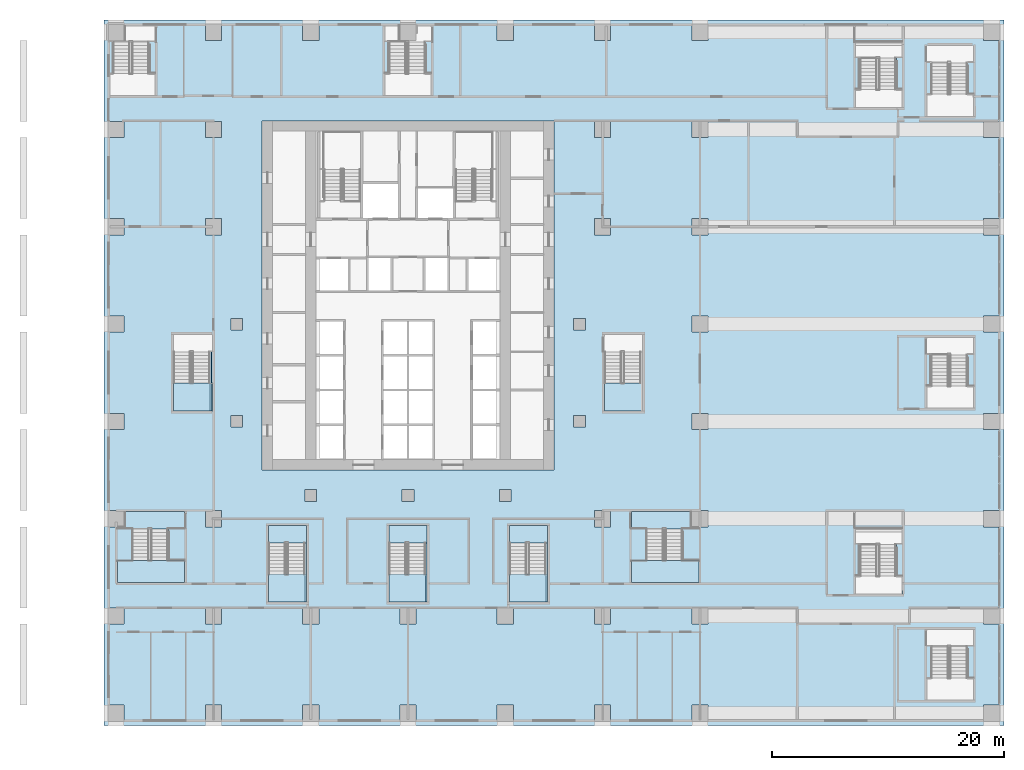
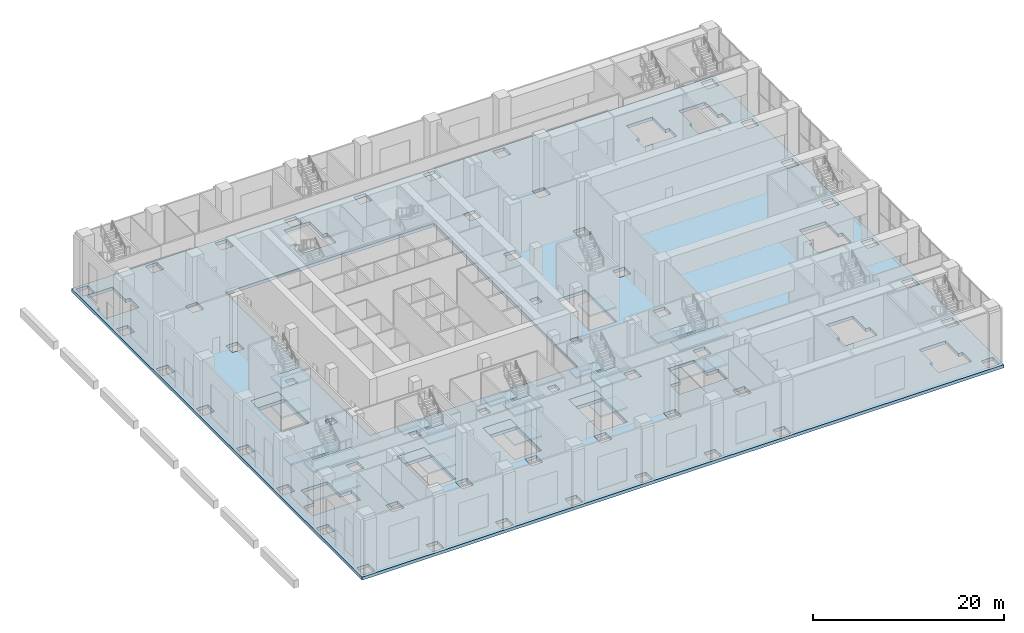
# One storey, part 4 of 29: 23 slabs, 7 elements without a shape of their own.
"""IFC4 building model written with IfcOpenShell, lengths in metres."""

from ifc_helpers import new_model, si_unit, direction, frame, origin, place, context, subcontext, project, spatial, polyline, outline, extrude, material, layer, layer_set, type_object, element, aggregate, save


model = new_model("IFC4")

# Units and contexts
model_context = context("Model", 3, precision=1e-05, world=origin(), true_north=direction((0.0, 1.0)))
body_context = subcontext(model_context, "Body", "Model", "MODEL_VIEW")
ifc_project = project(units=[si_unit("LENGTHUNIT", "METRE"), si_unit("AREAUNIT", "SQUARE_METRE"), si_unit("VOLUMEUNIT", "CUBIC_METRE"), si_unit("PLANEANGLEUNIT", "RADIAN"), si_unit("MASSUNIT", "GRAM", prefix="KILO")], contexts=[model_context])

# Site, building, storey
site_placement = place(None, origin())
site = spatial("IfcSite", under=ifc_project, at=site_placement, CompositionType="ELEMENT")
building_placement = place(site_placement, origin())
building = spatial("IfcBuilding", under=site, at=building_placement, Name="Vermilion Ogive Tower", CompositionType="ELEMENT")
storey_placement = place(building_placement, frame((0.0, 0.0, 12.5)))
storey = spatial("IfcBuildingStorey", under=building, at=storey_placement, Name="L02", CompositionType="ELEMENT", Elevation=12.5)

# Slabs
ifc_material_1 = material(Name="Concrete B40", Category="concrete")
ifc_layer_1 = layer(ifc_material_1, 0.39990234375)
ifc_layer_set_1 = layer_set([ifc_layer_1], Name="Core floor slab 400 B40")
slab_type_1 = type_object("IfcSlabType", Name="Core floor slab 400 B40", PredefinedType="FLOOR", material=ifc_layer_set_1)
slab_1_placement = place(storey_placement, frame((0.0, 0.0, -0.39990234375)))
element("IfcSlab", 1, at=slab_1_placement, inside=storey, type_object=slab_type_1, Name="L02-SF-ST3-1", PredefinedType="FLOOR", context=body_context, shape_type="SweptSolid", body=[
    extrude(outline(polyline([(-12.050048828125, -13.199951171875), (-12.050048828125, -14.701904296875), (-10.550048828125, -14.701904296875), (-10.550048828125, -14.699951171875), (-10.39990234375, -14.699951171875), (-10.39990234375, -14.701904296875), (-8.89990234375, -14.701904296875), (-8.89990234375, -19.800048828125), (-8.75, -19.800048828125), (-8.75, -13.199951171875), (-12.050048828125, -13.199951171875)])), origin(), (0.0, 0.0, 1.0), 0.39990234375),
])
slab_2_placement = place(storey_placement, frame((0.0, 0.0, -0.39990234375)))
element("IfcSlab", 2, at=slab_2_placement, inside=storey, type_object=slab_type_1, Name="L02-SF-ST4-1", PredefinedType="FLOOR", context=body_context, shape_type="SweptSolid", body=[
    extrude(outline(polyline([(-1.64990234375, -13.199951171875), (-1.64990234375, -14.701904296875), (-0.14990234375, -14.701904296875), (-0.14990234375, -14.699951171875), (0.0, -14.699951171875), (0.0, -14.701904296875), (1.5, -14.701904296875), (1.5, -19.800048828125), (1.64990234375, -19.800048828125), (1.64990234375, -13.199951171875), (-1.64990234375, -13.199951171875)])), origin(), (0.0, 0.0, 1.0), 0.39990234375),
])
slab_3_placement = place(storey_placement, frame((0.0, 0.0, -0.39990234375)))
element("IfcSlab", 3, at=slab_3_placement, inside=storey, type_object=slab_type_1, Name="L02-SF-ST5-1", PredefinedType="FLOOR", context=body_context, shape_type="SweptSolid", body=[
    extrude(outline(polyline([(8.75, -13.199951171875), (8.75, -14.701904296875), (10.25, -14.701904296875), (10.25, -14.699951171875), (10.39990234375, -14.699951171875), (10.39990234375, -14.701904296875), (11.89990234375, -14.701904296875), (11.89990234375, -19.800048828125), (12.050048828125, -19.800048828125), (12.050048828125, -13.199951171875), (8.75, -13.199951171875)])), origin(), (0.0, 0.0, 1.0), 0.39990234375),
])
slab_4_placement = place(storey_placement, frame((0.0, 0.0, -0.39990234375)))
element("IfcSlab", 4, at=slab_4_placement, inside=storey, type_object=slab_type_1, Name="L02-SF-ST9-1", PredefinedType="FLOOR", context=body_context, shape_type="SweptSolid", body=[
    extrude(outline(polyline([(-20.25, 3.300048828125), (-20.25, 1.798095703125), (-18.75, 1.798095703125), (-18.75, 1.800048828125), (-18.60009765625, 1.800048828125), (-18.60009765625, 1.798095703125), (-17.10009765625, 1.798095703125), (-17.10009765625, -3.300048828125), (-16.949951171875, -3.300048828125), (-16.949951171875, 3.300048828125), (-20.25, 3.300048828125)])), origin(), (0.0, 0.0, 1.0), 0.39990234375),
])
ifc_material_2 = material(Name="Concrete B45", Category="concrete")
ifc_layer_2 = layer(ifc_material_2, 0.39990234375)
ifc_layer_set_2 = layer_set([ifc_layer_2], Name="Podium floor slab 400")
slab_type_2 = type_object("IfcSlabType", Name="Podium floor slab 400", PredefinedType="FLOOR", material=ifc_layer_set_2)
slab_5_placement = place(storey_placement, frame((0.0, 0.0, -0.39990234375)))
element("IfcSlab", 5, at=slab_5_placement, inside=storey, type_object=slab_type_2, Name="L02 floor slab 1", PredefinedType="FLOOR", context=body_context, shape_type="SweptSolid", body=[
    extrude(outline(polyline([(-26.25, -30.449951171875), (51.449951171875, -30.449951171875), (51.449951171875, 30.449951171875), (-26.25, 30.449951171875), (-26.25, -30.449951171875)]), holes=[polyline([(-9.10009765625, -28.699951171875), (-7.699951171875, -28.699951171875), (-7.699951171875, -30.10009765625), (-9.10009765625, -30.10009765625), (-9.10009765625, -28.699951171875)]), polyline([(-17.5, -28.699951171875), (-16.10009765625, -28.699951171875), (-16.10009765625, -30.10009765625), (-17.5, -30.10009765625), (-17.5, -28.699951171875)]), polyline([(-25.89990234375, -28.699951171875), (-24.5, -28.699951171875), (-24.5, -30.10009765625), (-25.89990234375, -30.10009765625), (-25.89990234375, -28.699951171875)]), polyline([(-17.5, -20.300048828125), (-16.10009765625, -20.300048828125), (-16.10009765625, -21.699951171875), (-17.5, -21.699951171875), (-17.5, -20.300048828125)]), polyline([(-25.89990234375, -20.300048828125), (-24.5, -20.300048828125), (-24.5, -21.699951171875), (-25.89990234375, -21.699951171875), (-25.89990234375, -20.300048828125)]), polyline([(-12.050048828125, -13.199951171875), (-8.75, -13.199951171875), (-8.75, -19.800048828125), (-12.050048828125, -19.800048828125), (-12.050048828125, -13.199951171875)]), polyline([(-22.199951171875, -13.501953125), (-20.699951171875, -13.501953125), (-20.699951171875, -13.5), (-20.699951171875, -13.5), (-20.699951171875, -16.199951171875), (-19.300048828125, -16.199951171875), (-19.300048828125, -18.125), (-25.099853515625, -18.125), (-25.099853515625, -16.199951171875), (-23.85009765625, -16.199951171875), (-23.85009765625, -13.5), (-23.85009765625, -13.5), (-23.85009765625, -13.501953125), (-22.35009765625, -13.501953125), (-22.35009765625, -13.5), (-22.199951171875, -13.5), (-22.199951171875, -13.501953125)]), polyline([(-25.89990234375, -11.89990234375), (-24.5, -11.89990234375), (-24.5, -13.300048828125), (-25.89990234375, -13.300048828125), (-25.89990234375, -11.89990234375)]), polyline([(-17.5, -11.89990234375), (-16.10009765625, -11.89990234375), (-16.10009765625, -13.300048828125), (-17.5, -13.300048828125), (-17.5, -11.89990234375)]), polyline([(-15.300048828125, -3.699951171875), (-14.300048828125, -3.699951171875), (-14.300048828125, -4.699951171875), (-15.300048828125, -4.699951171875), (-15.300048828125, -3.699951171875)]), polyline([(-25.89990234375, -3.5), (-24.5, -3.5), (-24.5, -4.89990234375), (-25.89990234375, -4.89990234375), (-25.89990234375, -3.5)]), polyline([(-20.25, 3.300048828125), (-16.949951171875, 3.300048828125), (-16.949951171875, -3.300048828125), (-20.25, -3.300048828125), (-20.25, 3.300048828125)]), polyline([(-25.89990234375, 4.89990234375), (-24.5, 4.89990234375), (-24.5, 3.5), (-25.89990234375, 3.5), (-25.89990234375, 4.89990234375)]), polyline([(-15.300048828125, 4.699951171875), (-14.300048828125, 4.699951171875), (-14.300048828125, 3.699951171875), (-15.300048828125, 3.699951171875), (-15.300048828125, 4.699951171875)]), polyline([(-16.10009765625, 13.300048828125), (-16.10009765625, 11.89990234375), (-17.5, 11.89990234375), (-17.5, 13.300048828125), (-16.10009765625, 13.300048828125)]), polyline([(-24.5, 13.300048828125), (-24.5, 11.89990234375), (-25.89990234375, 11.89990234375), (-25.89990234375, 13.300048828125), (-24.5, 13.300048828125)]), polyline([(-17.5, 21.699951171875), (-16.10009765625, 21.699951171875), (-16.10009765625, 20.300048828125), (-17.5, 20.300048828125), (-17.5, 21.699951171875)]), polyline([(-25.89990234375, 21.699951171875), (-24.5, 21.699951171875), (-24.5, 20.300048828125), (-25.89990234375, 20.300048828125), (-25.89990234375, 21.699951171875)]), polyline([(-21.85009765625, 25.85009765625), (-21.85009765625, 23.925048828125), (-25.849853515625, 23.925048828125), (-25.849853515625, 25.85009765625), (-25.5, 25.85009765625), (-25.5, 28.548095703125), (-24.0, 28.548095703125), (-24.0, 28.550048828125), (-23.85009765625, 28.550048828125), (-23.85009765625, 28.548095703125), (-22.35009765625, 28.548095703125), (-22.35009765625, 25.85009765625), (-21.85009765625, 25.85009765625)]), polyline([(-17.5, 30.10009765625), (-16.10009765625, 30.10009765625), (-16.10009765625, 28.699951171875), (-17.5, 28.699951171875), (-17.5, 30.10009765625)]), polyline([(-25.89990234375, 30.10009765625), (-24.5, 30.10009765625), (-24.5, 28.699951171875), (-25.89990234375, 28.699951171875), (-25.89990234375, 30.10009765625)]), polyline([(-9.10009765625, 30.10009765625), (-7.699951171875, 30.10009765625), (-7.699951171875, 28.699951171875), (-9.10009765625, 28.699951171875), (-9.10009765625, 30.10009765625)]), polyline([(16.10009765625, -28.699951171875), (17.5, -28.699951171875), (17.5, -30.10009765625), (16.10009765625, -30.10009765625), (16.10009765625, -28.699951171875)]), polyline([(-0.699951171875, -28.699951171875), (0.699951171875, -28.699951171875), (0.699951171875, -30.10009765625), (-0.699951171875, -30.10009765625), (-0.699951171875, -28.699951171875)]), polyline([(7.699951171875, -28.699951171875), (9.10009765625, -28.699951171875), (9.10009765625, -30.10009765625), (7.699951171875, -30.10009765625), (7.699951171875, -28.699951171875)]), polyline([(-9.10009765625, -20.300048828125), (-7.699951171875, -20.300048828125), (-7.699951171875, -21.699951171875), (-9.10009765625, -21.699951171875), (-9.10009765625, -20.300048828125)]), polyline([(16.10009765625, -20.300048828125), (17.5, -20.300048828125), (17.5, -21.699951171875), (16.10009765625, -21.699951171875), (16.10009765625, -20.300048828125)]), polyline([(-0.699951171875, -20.300048828125), (0.699951171875, -20.300048828125), (0.699951171875, -21.699951171875), (-0.699951171875, -21.699951171875), (-0.699951171875, -20.300048828125)]), polyline([(7.699951171875, -20.300048828125), (9.10009765625, -20.300048828125), (9.10009765625, -21.699951171875), (7.699951171875, -21.699951171875), (7.699951171875, -20.300048828125)]), polyline([(-1.64990234375, -13.199951171875), (1.64990234375, -13.199951171875), (1.64990234375, -19.800048828125), (-1.64990234375, -19.800048828125), (-1.64990234375, -13.199951171875)]), polyline([(8.75, -13.199951171875), (12.050048828125, -13.199951171875), (12.050048828125, -19.800048828125), (8.75, -19.800048828125), (8.75, -13.199951171875)]), polyline([(17.5, -11.89990234375), (17.5, -13.300048828125), (16.10009765625, -13.300048828125), (16.10009765625, -11.89990234375), (17.5, -11.89990234375)]), polyline([(-7.89990234375, -10.10009765625), (-7.89990234375, -11.10009765625), (-8.89990234375, -11.10009765625), (-8.89990234375, -10.10009765625), (-7.89990234375, -10.10009765625)]), polyline([(7.89990234375, -10.10009765625), (8.89990234375, -10.10009765625), (8.89990234375, -11.10009765625), (7.89990234375, -11.10009765625), (7.89990234375, -10.10009765625)]), polyline([(-0.5, -10.10009765625), (0.5, -10.10009765625), (0.5, -11.10009765625), (-0.5, -11.10009765625), (-0.5, -10.10009765625)]), polyline([(14.300048828125, -3.699951171875), (15.300048828125, -3.699951171875), (15.300048828125, -4.699951171875), (14.300048828125, -4.699951171875), (14.300048828125, -3.699951171875)]), polyline([(14.300048828125, 4.699951171875), (15.300048828125, 4.699951171875), (15.300048828125, 3.699951171875), (14.300048828125, 3.699951171875), (14.300048828125, 4.699951171875)]), polyline([(-12.60009765625, 21.75), (12.60009765625, 21.75), (12.60009765625, -8.39990234375), (-12.60009765625, -8.39990234375), (-12.60009765625, 21.75)]), polyline([(16.10009765625, 13.300048828125), (17.5, 13.300048828125), (17.5, 11.89990234375), (16.10009765625, 11.89990234375), (16.10009765625, 13.300048828125)]), polyline([(16.10009765625, 21.699951171875), (17.5, 21.699951171875), (17.5, 20.300048828125), (16.10009765625, 20.300048828125), (16.10009765625, 21.699951171875)]), polyline([(0.0, 28.550048828125), (0.0, 28.548095703125), (1.5, 28.548095703125), (1.5, 25.85009765625), (2.0, 25.85009765625), (2.0, 23.925048828125), (-2.0, 23.925048828125), (-2.0, 25.85009765625), (-1.64990234375, 25.85009765625), (-1.64990234375, 28.548095703125), (-0.14990234375, 28.548095703125), (-0.14990234375, 28.550048828125), (0.0, 28.550048828125)]), polyline([(7.699951171875, 30.10009765625), (9.10009765625, 30.10009765625), (9.10009765625, 28.699951171875), (7.699951171875, 28.699951171875), (7.699951171875, 30.10009765625)]), polyline([(-0.699951171875, 30.10009765625), (0.699951171875, 30.10009765625), (0.699951171875, 28.699951171875), (-0.699951171875, 28.699951171875), (-0.699951171875, 30.10009765625)]), polyline([(16.10009765625, 30.10009765625), (17.5, 30.10009765625), (17.5, 28.699951171875), (16.10009765625, 28.699951171875), (16.10009765625, 30.10009765625)]), polyline([(49.699951171875, -28.699951171875), (51.10009765625, -28.699951171875), (51.10009765625, -30.10009765625), (49.699951171875, -30.10009765625), (49.699951171875, -28.699951171875)]), polyline([(24.5, -28.699951171875), (25.89990234375, -28.699951171875), (25.89990234375, -30.10009765625), (24.5, -30.10009765625), (24.5, -28.699951171875)]), polyline([(45.14990234375, -23.64990234375), (45.14990234375, -23.64990234375), (45.14990234375, -23.652099609375), (46.64990234375, -23.652099609375), (46.64990234375, -23.64990234375), (46.800048828125, -23.64990234375), (46.800048828125, -23.652099609375), (48.300048828125, -23.652099609375), (48.300048828125, -23.64990234375), (48.300048828125, -23.64990234375), (48.300048828125, -26.35009765625), (48.7998046875, -26.35009765625), (48.7998046875, -28.25), (44.800048828125, -28.25), (44.800048828125, -26.35009765625), (45.14990234375, -26.35009765625), (45.14990234375, -23.64990234375)]), polyline([(51.10009765625, -20.300048828125), (51.10009765625, -21.699951171875), (49.699951171875, -21.699951171875), (49.699951171875, -20.300048828125), (51.10009765625, -20.300048828125)]), polyline([(25.89990234375, -20.300048828125), (25.89990234375, -21.699951171875), (24.5, -21.699951171875), (24.5, -20.300048828125), (25.89990234375, -20.300048828125)]), polyline([(42.14990234375, -14.85205078125), (42.14990234375, -17.550048828125), (42.64990234375, -17.550048828125), (42.64990234375, -19.125), (38.650146484375, -19.125), (38.650146484375, -17.550048828125), (39.0, -17.550048828125), (39.0, -14.85205078125), (40.5, -14.85205078125), (40.5, -14.85009765625), (40.64990234375, -14.85009765625), (40.64990234375, -14.85205078125), (42.14990234375, -14.85205078125)]), polyline([(20.550048828125, -16.199951171875), (20.550048828125, -13.501953125), (22.050048828125, -13.501953125), (22.050048828125, -13.5), (22.199951171875, -13.5), (22.199951171875, -13.501953125), (23.699951171875, -13.501953125), (23.699951171875, -16.199951171875), (25.099853515625, -16.199951171875), (25.099853515625, -18.125), (19.300048828125, -18.125), (19.300048828125, -16.199951171875), (20.550048828125, -16.199951171875)]), polyline([(49.699951171875, -11.89990234375), (51.10009765625, -11.89990234375), (51.10009765625, -13.300048828125), (49.699951171875, -13.300048828125), (49.699951171875, -11.89990234375)]), polyline([(24.5, -11.89990234375), (25.89990234375, -11.89990234375), (25.89990234375, -13.300048828125), (24.5, -13.300048828125), (24.5, -11.89990234375)]), polyline([(24.5, -3.5), (25.89990234375, -3.5), (25.89990234375, -4.89990234375), (24.5, -4.89990234375), (24.5, -3.5)]), polyline([(49.699951171875, -3.5), (51.10009765625, -3.5), (51.10009765625, -4.89990234375), (49.699951171875, -4.89990234375), (49.699951171875, -3.5)]), polyline([(44.800048828125, -1.14990234375), (45.14990234375, -1.14990234375), (45.14990234375, 1.550048828125), (45.14990234375, 1.550048828125), (45.14990234375, 1.548095703125), (46.64990234375, 1.548095703125), (46.64990234375, 1.550048828125), (46.800048828125, 1.550048828125), (46.800048828125, 1.548095703125), (48.300048828125, 1.548095703125), (48.300048828125, 1.550048828125), (48.300048828125, 1.550048828125), (48.300048828125, -1.14990234375), (48.7998046875, -1.14990234375), (48.7998046875, -3.0498046875), (48.300048828125, -3.0498046875), (48.300048828125, -3.050048828125), (45.14990234375, -3.050048828125), (45.14990234375, -3.0498046875), (44.800048828125, -3.0498046875), (44.800048828125, -1.14990234375)]), polyline([(20.25, 3.300048828125), (20.25, -3.300048828125), (16.949951171875, -3.300048828125), (16.949951171875, 3.300048828125), (20.25, 3.300048828125)]), polyline([(25.89990234375, 4.89990234375), (25.89990234375, 3.5), (24.5, 3.5), (24.5, 4.89990234375), (25.89990234375, 4.89990234375)]), polyline([(49.699951171875, 4.89990234375), (51.10009765625, 4.89990234375), (51.10009765625, 3.5), (49.699951171875, 3.5), (49.699951171875, 4.89990234375)]), polyline([(24.5, 13.300048828125), (25.89990234375, 13.300048828125), (25.89990234375, 11.89990234375), (24.5, 11.89990234375), (24.5, 13.300048828125)]), polyline([(49.699951171875, 13.300048828125), (51.10009765625, 13.300048828125), (51.10009765625, 11.89990234375), (49.699951171875, 11.89990234375), (49.699951171875, 13.300048828125)]), polyline([(49.699951171875, 21.699951171875), (51.10009765625, 21.699951171875), (51.10009765625, 20.300048828125), (49.699951171875, 20.300048828125), (49.699951171875, 21.699951171875)]), polyline([(24.5, 21.699951171875), (25.89990234375, 21.699951171875), (25.89990234375, 20.300048828125), (24.5, 20.300048828125), (24.5, 21.699951171875)]), polyline([(48.8125, 22.125), (44.800048828125, 22.125), (44.800048828125, 24.050048828125), (45.14990234375, 24.050048828125), (45.14990234375, 26.75), (45.14990234375, 26.75), (45.14990234375, 26.748046875), (46.64990234375, 26.748046875), (46.64990234375, 26.75), (46.800048828125, 26.75), (46.800048828125, 26.748046875), (48.300048828125, 26.748046875), (48.300048828125, 26.75), (48.300048828125, 26.75), (48.300048828125, 24.050048828125), (48.8125, 24.050048828125), (48.8125, 22.125)]), polyline([(38.650146484375, 22.875), (38.650146484375, 24.449951171875), (39.0, 24.449951171875), (39.0, 27.14794921875), (40.5, 27.14794921875), (40.5, 27.14990234375), (40.64990234375, 27.14990234375), (40.64990234375, 27.14794921875), (42.14990234375, 27.14794921875), (42.14990234375, 24.449951171875), (42.64990234375, 24.449951171875), (42.64990234375, 22.875), (38.650146484375, 22.875)]), polyline([(25.89990234375, 30.10009765625), (25.89990234375, 28.699951171875), (24.5, 28.699951171875), (24.5, 30.10009765625), (25.89990234375, 30.10009765625)]), polyline([(51.10009765625, 30.10009765625), (51.10009765625, 28.699951171875), (49.699951171875, 28.699951171875), (49.699951171875, 30.10009765625), (51.10009765625, 30.10009765625)])]), origin(), (0.0, 0.0, 1.0), 0.39990234375),
])

# Stair, slabs
ifc_material_3 = material(Name="Concrete B40", Category="concrete")
stair_type = type_object("IfcStairType", Name="Exit stair 1500", PredefinedType="HALF_TURN_STAIR", material=ifc_material_3)
stair_1_placement = place(storey_placement, origin())
stair_1 = element("IfcStair", 6, at=stair_1_placement, inside=storey, type_object=stair_type, Name="L02 Exit Stair ST3", PredefinedType="HALF_TURN_STAIR")
ifc_material_4 = material(Name="Concrete B40", Category="concrete")
ifc_layer_3 = layer(ifc_material_4, 0.199951171875)
ifc_layer_set_3 = layer_set([ifc_layer_3], Name="Stair landing 200")
slab_type_3 = type_object("IfcSlabType", Name="Stair landing 200", PredefinedType="LANDING", material=ifc_layer_set_3)
slab_6_placement = place(storey_placement, frame((0.0, 0.0, 1.675048828125)))
slab_6 = element("IfcSlab", 7, at=slab_6_placement, type_object=slab_type_3, Name="ST3 landing 1", PredefinedType="LANDING", context=body_context, shape_type="SweptSolid", body=[
    extrude(outline(polyline([(-8.75, -17.39990234375), (-8.89990234375, -17.39990234375), (-8.89990234375, -17.39794921875), (-10.39990234375, -17.39794921875), (-10.39990234375, -17.39990234375), (-10.550048828125, -17.39990234375), (-10.550048828125, -17.39794921875), (-12.050048828125, -17.39794921875), (-12.050048828125, -19.800048828125), (-8.75, -19.800048828125), (-8.75, -17.39990234375)])), origin(), (0.0, 0.0, 1.0), 0.199951171875),
])
slab_7_placement = place(storey_placement, frame((0.0, 0.0, 3.550048828125)))
slab_7 = element("IfcSlab", 8, at=slab_7_placement, type_object=slab_type_3, Name="ST3 landing 2", PredefinedType="LANDING", context=body_context, shape_type="SweptSolid", body=[
    extrude(outline(polyline([(-12.050048828125, -13.199951171875), (-12.050048828125, -14.701904296875), (-10.550048828125, -14.701904296875), (-10.550048828125, -14.699951171875), (-10.39990234375, -14.699951171875), (-10.39990234375, -14.701904296875), (-8.89990234375, -14.701904296875), (-8.89990234375, -14.699951171875), (-8.75, -14.699951171875), (-8.75, -13.199951171875), (-12.050048828125, -13.199951171875)])), origin(), (0.0, 0.0, 1.0), 0.199951171875),
])
slab_8_placement = place(storey_placement, frame((0.0, 0.0, 5.425048828125)))
slab_8 = element("IfcSlab", 9, at=slab_8_placement, type_object=slab_type_3, Name="ST3 landing 3", PredefinedType="LANDING", context=body_context, shape_type="SweptSolid", body=[
    extrude(outline(polyline([(-8.75, -17.39990234375), (-8.89990234375, -17.39990234375), (-8.89990234375, -17.39794921875), (-10.39990234375, -17.39794921875), (-10.39990234375, -17.39990234375), (-10.550048828125, -17.39990234375), (-10.550048828125, -17.39794921875), (-12.050048828125, -17.39794921875), (-12.050048828125, -19.800048828125), (-8.75, -19.800048828125), (-8.75, -17.39990234375)])), origin(), (0.0, 0.0, 1.0), 0.199951171875),
])
aggregate(stair_1, [slab_6, slab_7, slab_8])

stair_2_placement = place(storey_placement, origin())
stair_2 = element("IfcStair", 10, at=stair_2_placement, inside=storey, type_object=stair_type, Name="L02 Exit Stair ST4", PredefinedType="HALF_TURN_STAIR")
slab_9_placement = place(storey_placement, frame((0.0, 0.0, 1.675048828125)))
slab_9 = element("IfcSlab", 11, at=slab_9_placement, type_object=slab_type_3, Name="ST4 landing 1", PredefinedType="LANDING", context=body_context, shape_type="SweptSolid", body=[
    extrude(outline(polyline([(1.64990234375, -17.39990234375), (1.5, -17.39990234375), (1.5, -17.39794921875), (0.0, -17.39794921875), (0.0, -17.39990234375), (-0.14990234375, -17.39990234375), (-0.14990234375, -17.39794921875), (-1.64990234375, -17.39794921875), (-1.64990234375, -19.800048828125), (1.64990234375, -19.800048828125), (1.64990234375, -17.39990234375)])), origin(), (0.0, 0.0, 1.0), 0.199951171875),
])
slab_10_placement = place(storey_placement, frame((0.0, 0.0, 3.550048828125)))
slab_10 = element("IfcSlab", 12, at=slab_10_placement, type_object=slab_type_3, Name="ST4 landing 2", PredefinedType="LANDING", context=body_context, shape_type="SweptSolid", body=[
    extrude(outline(polyline([(-1.64990234375, -13.199951171875), (-1.64990234375, -14.701904296875), (-0.14990234375, -14.701904296875), (-0.14990234375, -14.699951171875), (0.0, -14.699951171875), (0.0, -14.701904296875), (1.5, -14.701904296875), (1.5, -14.699951171875), (1.64990234375, -14.699951171875), (1.64990234375, -13.199951171875), (-1.64990234375, -13.199951171875)])), origin(), (0.0, 0.0, 1.0), 0.199951171875),
])
slab_11_placement = place(storey_placement, frame((0.0, 0.0, 5.425048828125)))
slab_11 = element("IfcSlab", 13, at=slab_11_placement, type_object=slab_type_3, Name="ST4 landing 3", PredefinedType="LANDING", context=body_context, shape_type="SweptSolid", body=[
    extrude(outline(polyline([(1.64990234375, -17.39990234375), (1.5, -17.39990234375), (1.5, -17.39794921875), (0.0, -17.39794921875), (0.0, -17.39990234375), (-0.14990234375, -17.39990234375), (-0.14990234375, -17.39794921875), (-1.64990234375, -17.39794921875), (-1.64990234375, -19.800048828125), (1.64990234375, -19.800048828125), (1.64990234375, -17.39990234375)])), origin(), (0.0, 0.0, 1.0), 0.199951171875),
])
aggregate(stair_2, [slab_9, slab_10, slab_11])

stair_3_placement = place(storey_placement, origin())
stair_3 = element("IfcStair", 14, at=stair_3_placement, inside=storey, type_object=stair_type, Name="L02 Exit Stair ST5", PredefinedType="HALF_TURN_STAIR")
slab_12_placement = place(storey_placement, frame((0.0, 0.0, 1.675048828125)))
slab_12 = element("IfcSlab", 15, at=slab_12_placement, type_object=slab_type_3, Name="ST5 landing 1", PredefinedType="LANDING", context=body_context, shape_type="SweptSolid", body=[
    extrude(outline(polyline([(12.050048828125, -17.39990234375), (11.89990234375, -17.39990234375), (11.89990234375, -17.39794921875), (10.39990234375, -17.39794921875), (10.39990234375, -17.39990234375), (10.25, -17.39990234375), (10.25, -17.39794921875), (8.75, -17.39794921875), (8.75, -19.800048828125), (12.050048828125, -19.800048828125), (12.050048828125, -17.39990234375)])), origin(), (0.0, 0.0, 1.0), 0.199951171875),
])
slab_13_placement = place(storey_placement, frame((0.0, 0.0, 3.550048828125)))
slab_13 = element("IfcSlab", 16, at=slab_13_placement, type_object=slab_type_3, Name="ST5 landing 2", PredefinedType="LANDING", context=body_context, shape_type="SweptSolid", body=[
    extrude(outline(polyline([(8.75, -13.199951171875), (8.75, -14.701904296875), (10.25, -14.701904296875), (10.25, -14.699951171875), (10.39990234375, -14.699951171875), (10.39990234375, -14.701904296875), (11.89990234375, -14.701904296875), (11.89990234375, -14.699951171875), (12.050048828125, -14.699951171875), (12.050048828125, -13.199951171875), (8.75, -13.199951171875)])), origin(), (0.0, 0.0, 1.0), 0.199951171875),
])
slab_14_placement = place(storey_placement, frame((0.0, 0.0, 5.425048828125)))
slab_14 = element("IfcSlab", 17, at=slab_14_placement, type_object=slab_type_3, Name="ST5 landing 3", PredefinedType="LANDING", context=body_context, shape_type="SweptSolid", body=[
    extrude(outline(polyline([(12.050048828125, -17.39990234375), (11.89990234375, -17.39990234375), (11.89990234375, -17.39794921875), (10.39990234375, -17.39794921875), (10.39990234375, -17.39990234375), (10.25, -17.39990234375), (10.25, -17.39794921875), (8.75, -17.39794921875), (8.75, -19.800048828125), (12.050048828125, -19.800048828125), (12.050048828125, -17.39990234375)])), origin(), (0.0, 0.0, 1.0), 0.199951171875),
])
aggregate(stair_3, [slab_12, slab_13, slab_14])

# Stair, slab
stair_4_placement = place(storey_placement, origin())
stair_4 = element("IfcStair", 18, at=stair_4_placement, inside=storey, type_object=stair_type, Name="L02 Exit Stair ST8", PredefinedType="HALF_TURN_STAIR")
slab_15_placement = place(storey_placement, frame((0.0, 0.0, 1.675048828125)))
slab_15 = element("IfcSlab", 19, at=slab_15_placement, type_object=slab_type_3, Name="ST8 landing 1", PredefinedType="LANDING", context=body_context, shape_type="SweptSolid", body=[
    extrude(outline(polyline([(20.25, -0.89990234375), (20.10009765625, -0.89990234375), (20.10009765625, -0.89794921875), (18.60009765625, -0.89794921875), (18.60009765625, -0.89990234375), (18.449951171875, -0.89990234375), (18.449951171875, -0.89794921875), (16.949951171875, -0.89794921875), (16.949951171875, -3.300048828125), (20.25, -3.300048828125), (20.25, -0.89990234375)])), origin(), (0.0, 0.0, 1.0), 0.199951171875),
])
aggregate(stair_4, [slab_15])

# Stair, slabs
stair_5_placement = place(storey_placement, origin())
stair_5 = element("IfcStair", 20, at=stair_5_placement, inside=storey, type_object=stair_type, Name="L02 Exit Stair ST9", PredefinedType="HALF_TURN_STAIR")
slab_16_placement = place(storey_placement, frame((0.0, 0.0, 1.675048828125)))
slab_16 = element("IfcSlab", 21, at=slab_16_placement, type_object=slab_type_3, Name="ST9 landing 1", PredefinedType="LANDING", context=body_context, shape_type="SweptSolid", body=[
    extrude(outline(polyline([(-16.875, -0.89990234375), (-17.10009765625, -0.89990234375), (-17.10009765625, -0.89794921875), (-18.60009765625, -0.89794921875), (-18.60009765625, -0.89990234375), (-18.75, -0.89990234375), (-18.75, -0.89794921875), (-20.25, -0.89794921875), (-20.25, -3.300048828125), (-16.875, -3.300048828125), (-16.875, -0.89990234375)])), origin(), (0.0, 0.0, 1.0), 0.199951171875),
])
slab_17_placement = place(storey_placement, frame((0.0, 0.0, 5.425048828125)))
slab_17 = element("IfcSlab", 22, at=slab_17_placement, type_object=slab_type_3, Name="ST9 landing 3", PredefinedType="LANDING", context=body_context, shape_type="SweptSolid", body=[
    extrude(outline(polyline([(-16.875, -0.89990234375), (-17.10009765625, -0.89990234375), (-17.10009765625, -0.89794921875), (-18.60009765625, -0.89794921875), (-18.60009765625, -0.89990234375), (-18.75, -0.89990234375), (-18.75, -0.89794921875), (-20.25, -0.89794921875), (-20.25, -3.300048828125), (-16.875, -3.300048828125), (-16.875, -0.89990234375)])), origin(), (0.0, 0.0, 1.0), 0.199951171875),
])
aggregate(stair_5, [slab_16, slab_17])

stair_6_placement = place(storey_placement, origin())
stair_6 = element("IfcStair", 23, at=stair_6_placement, inside=storey, type_object=stair_type, Name="L02 Exit Stair PS3", PredefinedType="HALF_TURN_STAIR")
slab_18_placement = place(storey_placement, frame((0.0, 0.0, 1.675048828125)))
slab_18 = element("IfcSlab", 24, at=slab_18_placement, type_object=slab_type_3, Name="PS3 landing 1", PredefinedType="LANDING", context=body_context, shape_type="SweptSolid", body=[
    extrude(outline(polyline([(25.099853515625, -16.199951171875), (23.699951171875, -16.199951171875), (23.699951171875, -16.197998046875), (22.199951171875, -16.197998046875), (22.199951171875, -16.199951171875), (22.050048828125, -16.199951171875), (22.050048828125, -16.197998046875), (20.550048828125, -16.197998046875), (20.550048828125, -16.199951171875), (19.300048828125, -16.199951171875), (19.300048828125, -18.125), (25.099853515625, -18.125), (25.099853515625, -16.199951171875)])), origin(), (0.0, 0.0, 1.0), 0.199951171875),
])
slab_19_placement = place(storey_placement, frame((0.0, 0.0, 3.550048828125)))
slab_19 = element("IfcSlab", 25, at=slab_19_placement, type_object=slab_type_3, Name="PS3 landing 2", PredefinedType="LANDING", context=body_context, shape_type="SweptSolid", body=[
    extrude(outline(polyline([(19.300048828125, -13.5), (20.550048828125, -13.5), (20.550048828125, -13.501953125), (22.050048828125, -13.501953125), (22.050048828125, -13.5), (22.199951171875, -13.5), (22.199951171875, -13.501953125), (23.699951171875, -13.501953125), (23.699951171875, -13.5), (25.099853515625, -13.5), (25.099853515625, -11.974853515625), (19.300048828125, -11.974853515625), (19.300048828125, -13.5)])), origin(), (0.0, 0.0, 1.0), 0.199951171875),
])
slab_20_placement = place(storey_placement, frame((0.0, 0.0, 5.425048828125)))
slab_20 = element("IfcSlab", 26, at=slab_20_placement, type_object=slab_type_3, Name="PS3 landing 3", PredefinedType="LANDING", context=body_context, shape_type="SweptSolid", body=[
    extrude(outline(polyline([(25.099853515625, -16.199951171875), (23.699951171875, -16.199951171875), (23.699951171875, -16.197998046875), (22.199951171875, -16.197998046875), (22.199951171875, -16.199951171875), (22.050048828125, -16.199951171875), (22.050048828125, -16.197998046875), (20.550048828125, -16.197998046875), (20.550048828125, -16.199951171875), (19.300048828125, -16.199951171875), (19.300048828125, -18.125), (25.099853515625, -18.125), (25.099853515625, -16.199951171875)])), origin(), (0.0, 0.0, 1.0), 0.199951171875),
])
aggregate(stair_6, [slab_18, slab_19, slab_20])

stair_7_placement = place(storey_placement, origin())
stair_7 = element("IfcStair", 27, at=stair_7_placement, inside=storey, type_object=stair_type, Name="L02 Exit Stair PS4", PredefinedType="HALF_TURN_STAIR")
slab_21_placement = place(storey_placement, frame((0.0, 0.0, 1.675048828125)))
slab_21 = element("IfcSlab", 28, at=slab_21_placement, type_object=slab_type_3, Name="PS4 landing 1", PredefinedType="LANDING", context=body_context, shape_type="SweptSolid", body=[
    extrude(outline(polyline([(-19.300048828125, -16.199951171875), (-20.699951171875, -16.199951171875), (-20.699951171875, -16.197998046875), (-22.199951171875, -16.197998046875), (-22.199951171875, -16.199951171875), (-22.35009765625, -16.199951171875), (-22.35009765625, -16.197998046875), (-23.85009765625, -16.197998046875), (-23.85009765625, -16.199951171875), (-25.10009765625, -16.199951171875), (-25.10009765625, -18.125), (-19.300048828125, -18.125), (-19.300048828125, -16.199951171875)])), origin(), (0.0, 0.0, 1.0), 0.199951171875),
])
slab_22_placement = place(storey_placement, frame((0.0, 0.0, 3.550048828125)))
slab_22 = element("IfcSlab", 29, at=slab_22_placement, type_object=slab_type_3, Name="PS4 landing 2", PredefinedType="LANDING", context=body_context, shape_type="SweptSolid", body=[
    extrude(outline(polyline([(-25.10009765625, -13.5), (-23.85009765625, -13.5), (-23.85009765625, -13.501953125), (-22.35009765625, -13.501953125), (-22.35009765625, -13.5), (-22.199951171875, -13.5), (-22.199951171875, -13.501953125), (-20.699951171875, -13.501953125), (-20.699951171875, -13.5), (-19.300048828125, -13.5), (-19.300048828125, -12.0), (-25.10009765625, -12.0), (-25.10009765625, -13.5)])), origin(), (0.0, 0.0, 1.0), 0.199951171875),
])
slab_23_placement = place(storey_placement, frame((0.0, 0.0, 5.425048828125)))
slab_23 = element("IfcSlab", 30, at=slab_23_placement, type_object=slab_type_3, Name="PS4 landing 3", PredefinedType="LANDING", context=body_context, shape_type="SweptSolid", body=[
    extrude(outline(polyline([(-19.300048828125, -16.199951171875), (-20.699951171875, -16.199951171875), (-20.699951171875, -16.197998046875), (-22.199951171875, -16.197998046875), (-22.199951171875, -16.199951171875), (-22.35009765625, -16.199951171875), (-22.35009765625, -16.197998046875), (-23.85009765625, -16.197998046875), (-23.85009765625, -16.199951171875), (-25.10009765625, -16.199951171875), (-25.10009765625, -18.125), (-19.300048828125, -18.125), (-19.300048828125, -16.199951171875)])), origin(), (0.0, 0.0, 1.0), 0.199951171875),
])
aggregate(stair_7, [slab_21, slab_22, slab_23])

save(model, "model.ifc")
